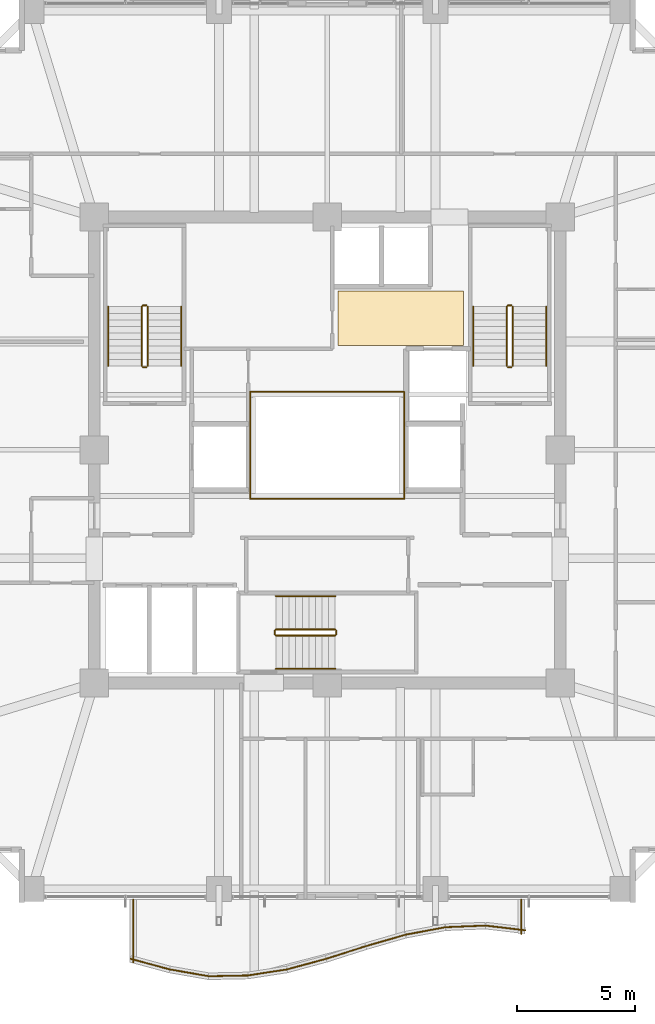
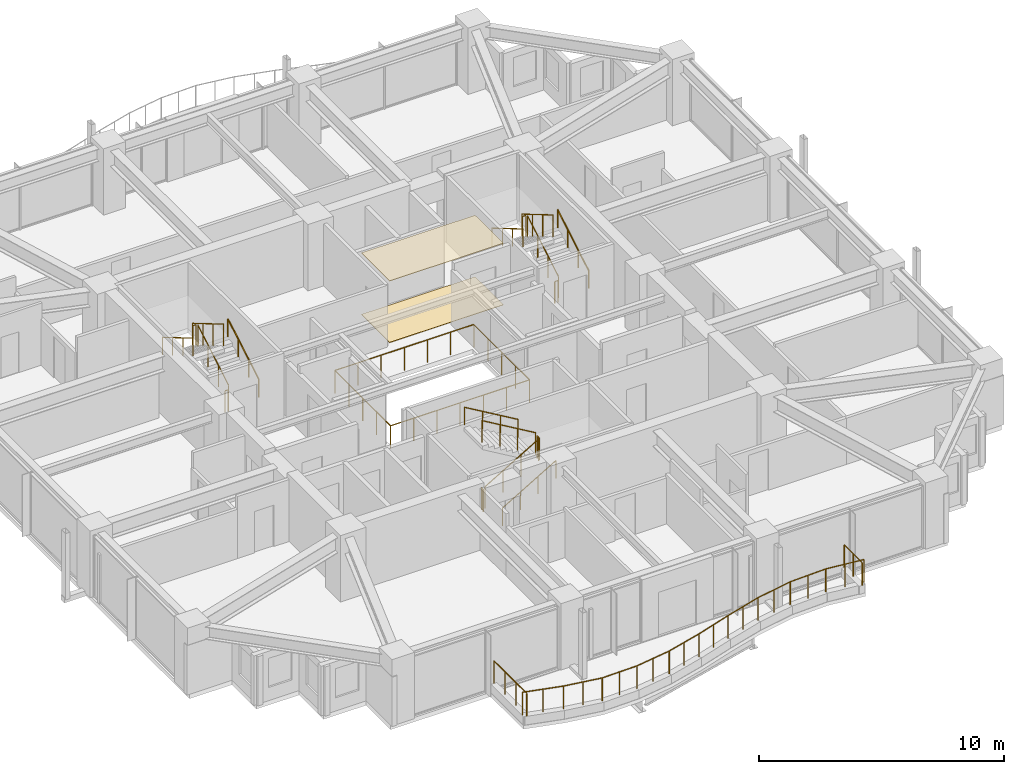
# One storey, part 30 of 31: 34 railings, 2 coverings.
"""IFC4 building model written with IfcOpenShell, lengths in metres."""

import ifcopenshell
import ifcopenshell.guid

model = None  # the IFC model being written
_history = None  # IfcOwnerHistory: only IFC2X3 demands one
_inside = {}  # id of a spatial element -> (the spatial element, [elements in it])
_under = {}  # id of a project, library or spatial element -> (it, [spatial elements below it])
_declared = {}  # id of a project -> (the project, [libraries it declares])
_typed = {}  # id of a type object -> (the type object, [elements of that type])
_made_of = {}  # id of a material, layer set ... -> (it, [elements and type objects made of it])


def new_model(schema):
    """Start an empty IFC model of exactly this schema.

    Asked for "IFC4X3", IfcOpenShell would pick the latest addendum, in which some entities
    have other attributes; the version numbers below select the first issue.
    IFC2X3 requires an IfcOwnerHistory on every rooted entity: one is made here for all.
    """
    global model, _history
    if schema == "IFC4X3":
        model = ifcopenshell.file(schema_version=(4, 3, 0, 0))
    else:
        model = ifcopenshell.file(schema=schema)
    _inside.clear()
    _under.clear()
    _declared.clear()
    _typed.clear()
    _made_of.clear()
    _history = None
    if model.schema == "IFC2X3":
        org = make("IfcOrganization", Name="unknown")
        user = make(
            "IfcPersonAndOrganization",
            ThePerson=make("IfcPerson", FamilyName="unknown"),
            TheOrganization=org,
        )
        app = make(
            "IfcApplication",
            ApplicationDeveloper=org,
            Version="unknown",
            ApplicationFullName="unknown",
            ApplicationIdentifier="unknown",
        )
        _history = make(
            "IfcOwnerHistory",
            OwningUser=user,
            OwningApplication=app,
            ChangeAction="ADDED",
            CreationDate=0,
        )
    return model


def make(cls, **values):
    """One entity of the class cls with the attributes given. An attribute that is None is left unset."""
    return model.create_entity(
        cls, **{name: value for name, value in values.items() if value is not None}
    )


def rooted(cls, **values):
    """An entity with a GlobalId (a new one), such as an element, a storey or a relation."""
    return make(cls, GlobalId=ifcopenshell.guid.new(), OwnerHistory=_history, **values)


def si_unit(unit_type, name, prefix=None):
    """IfcSIUnit, for example si_unit("LENGTHUNIT", "METRE", prefix="MILLI")."""
    return make("IfcSIUnit", UnitType=unit_type, Prefix=prefix, Name=name)


def assignment(units):
    """IfcUnitAssignment: the units of a project."""
    return None if units is None else make("IfcUnitAssignment", Units=units)


def point(xyz):
    """IfcCartesianPoint."""
    return None if xyz is None else make("IfcCartesianPoint", Coordinates=xyz)


def direction(xyz):
    """IfcDirection."""
    return None if xyz is None else make("IfcDirection", DirectionRatios=xyz)


def frame(location, z_axis=None, x_axis=None):
    """IfcAxis2Placement3D, a coordinate frame: its origin and axes. An axis left out is left unset."""
    return make(
        "IfcAxis2Placement3D",
        Location=point(location),
        Axis=direction(z_axis),
        RefDirection=direction(x_axis),
    )


def frame_2d(location, x_axis=None):
    """IfcAxis2Placement2D, a coordinate frame in the plane: its origin and x axis."""
    return make(
        "IfcAxis2Placement2D", Location=point(location), RefDirection=direction(x_axis)
    )


def origin():
    """The frame at (0, 0, 0) with its axes left unset."""
    return frame((0.0, 0.0, 0.0))


def origin_2d():
    """The frame at (0, 0) in the plane with its x axis left unset."""
    return frame_2d((0.0, 0.0))


def place(relative_to, where):
    """IfcLocalPlacement: puts the frame where relative to a parent placement (None: the world)."""
    return make(
        "IfcLocalPlacement", PlacementRelTo=relative_to, RelativePlacement=where
    )


def context(
    kind, dimensions, precision=None, world=None, true_north=None, identifier=None
):
    """IfcGeometricRepresentationContext, for example the 3D "Model" context."""
    return make(
        "IfcGeometricRepresentationContext",
        ContextIdentifier=identifier,
        ContextType=kind,
        CoordinateSpaceDimension=dimensions,
        Precision=precision,
        WorldCoordinateSystem=world,
        TrueNorth=true_north,
    )


def subcontext(parent, identifier, kind, view, scale=None):
    """IfcGeometricRepresentationSubContext, for example "Body" below "Model"."""
    return make(
        "IfcGeometricRepresentationSubContext",
        ContextIdentifier=identifier,
        ContextType=kind,
        ParentContext=parent,
        TargetScale=scale,
        TargetView=view,
    )


def project(units=None, contexts=None):
    """IfcProject with its units and contexts."""
    return rooted(
        "IfcProject",
        Name="project",
        RepresentationContexts=contexts,
        UnitsInContext=assignment(units),
    )


def spatial(cls, under=None, at=None, **own):
    """A site, building, storey or space (cls), placed at a placement, below another one or the project."""
    s = rooted(cls, ObjectPlacement=at, **own)
    if under is not None:
        _under.setdefault(under.id(), (under, []))[1].append(s)
    return s


def polyline(points):
    """IfcPolyline through the points."""
    return make("IfcPolyline", Points=[point(p) for p in points])


def profile(cls, at=None, kind="AREA", **sizes):
    """A parametric profile (cls). Its sizes go by their IFC names, for example OverallWidth=200.0."""
    return make(cls, ProfileType=kind, Position=at, **sizes)


def circle(**sizes):
    """IfcCircleProfileDef."""
    return profile("IfcCircleProfileDef", **sizes)


def outline(outer, holes=None, kind="AREA"):
    """IfcArbitraryClosedProfileDef: a profile drawn as a closed curve; with holes, ...WithVoids."""
    if holes is None:
        return make("IfcArbitraryClosedProfileDef", ProfileType=kind, OuterCurve=outer)
    return make(
        "IfcArbitraryProfileDefWithVoids",
        ProfileType=kind,
        OuterCurve=outer,
        InnerCurves=holes,
    )


def extrude(swept, where, along, depth):
    """IfcExtrudedAreaSolid: the profile swept, set in the frame where, extruded along a direction by depth."""
    return make(
        "IfcExtrudedAreaSolid",
        SweptArea=swept,
        Position=where,
        ExtrudedDirection=direction(along),
        Depth=depth,
    )


def shape(context_of_items, identifier, shape_type, items):
    """IfcShapeRepresentation: the items that make up one representation, for example the "Body"."""
    return make(
        "IfcShapeRepresentation",
        ContextOfItems=context_of_items,
        RepresentationIdentifier=identifier,
        RepresentationType=shape_type,
        Items=items,
    )


def material(Name=None, Category=None):
    """IfcMaterial."""
    return make("IfcMaterial", Name=Name, Category=Category)


def layer(
    of_material, thickness, ventilated=None, Name=None, Category=None, Priority=None
):
    """IfcMaterialLayer: one layer of a wall or slab, of a material (None: an air gap)."""
    return make(
        "IfcMaterialLayer",
        Material=of_material,
        LayerThickness=thickness,
        IsVentilated=ventilated,
        Name=Name,
        Category=Category,
        Priority=Priority,
    )


def layer_set(layers, Name=None):
    """IfcMaterialLayerSet."""
    return make("IfcMaterialLayerSet", MaterialLayers=layers, LayerSetName=Name)


def made_of(thing, what):
    """Note that an element or type object is made of a material, layer set ...; save() writes the relation."""
    if what is not None:
        _made_of.setdefault(what.id(), (what, []))[1].append(thing)
    return thing


def type_object(cls, material=None, **own):
    """A type object (cls), such as IfcWallType, which elements share."""
    return made_of(rooted(cls, **own), material)


def element(
    cls,
    number,
    at=None,
    inside=None,
    cuts=None,
    type_object=None,
    material=None,
    context=None,
    identifier="Body",
    shape_type=None,
    held_by="IfcProductDefinitionShape",
    body=None,
    shapes=None,
    **own,
):
    """One element of the class cls, such as IfcWall. Its Tag is "e" and its number.

    at: its placement. inside: the storey or other place that contains it. cuts: it is an
    opening in that element (IfcRelVoidsElement). A single representation is given by context,
    identifier, shape_type and body (its items); several are given by shapes. held_by: the class
    of the entity that holds the representations. save() writes the other relations.
    """
    e = rooted(cls, Tag="e%d" % number, ObjectPlacement=at, **own)
    if body is not None:
        shapes = [shape(context, identifier, shape_type, body)]
    if shapes is not None:
        e.Representation = make(held_by, Representations=shapes)
    if inside is not None:
        _inside.setdefault(inside.id(), (inside, []))[1].append(e)
    if cuts is not None:
        rooted(
            "IfcRelVoidsElement", RelatingBuildingElement=cuts, RelatedOpeningElement=e
        )
    if type_object is not None:
        _typed.setdefault(type_object.id(), (type_object, []))[1].append(e)
    return made_of(e, material)


def aggregate(whole, parts):
    """IfcRelAggregates: a whole, such as a stair, and the parts it consists of."""
    return rooted("IfcRelAggregates", RelatingObject=whole, RelatedObjects=parts)


def save(model, path):
    """Write the relations noted so far, then the file.

    IfcRelAggregates (storeys below a building ...), IfcRelContainedInSpatialStructure (elements
    in a storey), IfcRelDefinesByType, IfcRelAssociatesMaterial and IfcRelDeclares: one each for
    every whole, place, type object, material and project.
    """
    for whole, parts in _under.values():
        aggregate(whole, parts)
    for where, things in _inside.values():
        rooted(
            "IfcRelContainedInSpatialStructure",
            RelatedElements=things,
            RelatingStructure=where,
        )
    for kind, things in _typed.values():
        rooted("IfcRelDefinesByType", RelatedObjects=things, RelatingType=kind)
    for what, things in _made_of.values():
        rooted("IfcRelAssociatesMaterial", RelatedObjects=things, RelatingMaterial=what)
    for by, libraries in _declared.values():
        rooted("IfcRelDeclares", RelatingContext=by, RelatedDefinitions=libraries)
    model.write(path)


model = new_model("IFC4")

# Units and contexts
model_context = context("Model", 3, precision=1e-05, world=origin(), true_north=direction((0.0, 1.0)))
body_context = subcontext(model_context, "Body", "Model", "MODEL_VIEW")
ifc_project = project(units=[si_unit("LENGTHUNIT", "METRE"), si_unit("AREAUNIT", "SQUARE_METRE"), si_unit("VOLUMEUNIT", "CUBIC_METRE"), si_unit("PLANEANGLEUNIT", "RADIAN"), si_unit("MASSUNIT", "GRAM", prefix="KILO")], contexts=[model_context])

# Site, building, storey
site_placement = place(None, origin())
site = spatial("IfcSite", under=ifc_project, at=site_placement, CompositionType="ELEMENT")
building_placement = place(site_placement, origin())
building = spatial("IfcBuilding", under=site, at=building_placement, Name="Kolvaren Belvedere", CompositionType="ELEMENT")
storey_placement = place(building_placement, frame((0.0, 0.0, 118.39990234375)))
storey = spatial("IfcBuildingStorey", under=building, at=storey_placement, Name="L34", CompositionType="ELEMENT", Elevation=118.39990234375)

# Coverings
ifc_material_1 = material(Name="Acoustic perforated gypsum board", Category="gypsum")
ifc_layer_1 = layer(ifc_material_1, 0.02490234375)
ifc_layer_set_1 = layer_set([ifc_layer_1], Name="Acoustic perforated gypsum board")
covering_type_1 = type_object("IfcCoveringType", Name="COV-CEIL-GYP", PredefinedType="CEILING", material=ifc_layer_set_1)
covering_1_placement = place(storey_placement, frame((0.0, 0.0, 3.05517578125)))
element("IfcCovering", 1, at=covering_1_placement, inside=storey, type_object=covering_type_1, Name="L34 Lift Lobby Acoustic Baffle Ceiling", PredefinedType="CEILING", context=body_context, shape_type="SweptSolid", body=[
    extrude(outline(polyline([(0.449951171875, 4.449951171875), (5.800048828125, 4.449951171875), (5.800048828125, 6.75), (0.449951171875, 6.75), (0.449951171875, 4.449951171875)])), origin(), (0.0, 0.0, 1.0), 0.02490234375),
])
ifc_material_2 = material(Name="Engineered Pacific white oak", Category="timber")
ifc_layer_2 = layer(ifc_material_2, 0.02001953125)
ifc_layer_set_2 = layer_set([ifc_layer_2], Name="Engineered Pacific white oak")
covering_type_2 = type_object("IfcCoveringType", Name="COV-FLR-OAK", PredefinedType="FLOORING", material=ifc_layer_set_2)
covering_2_placement = place(storey_placement, origin())
element("IfcCovering", 2, at=covering_2_placement, inside=storey, type_object=covering_type_2, Name="L34 Lift Lobby Finish Flooring", PredefinedType="FLOORING", context=body_context, shape_type="SweptSolid", body=[
    extrude(outline(polyline([(0.449951171875, 4.449951171875), (5.800048828125, 4.449951171875), (5.800048828125, 6.75), (0.449951171875, 6.75), (0.449951171875, 4.449951171875)])), origin(), (0.0, 0.0, 1.0), 0.02001953125),
])

# Railings
ifc_material_3 = material(Name="Laminated glass & stainless-steel cap rail", Category="steel")
railing_type_1 = type_object("IfcRailingType", Name="RL-ATR-1150", PredefinedType="BALUSTRADE", material=ifc_material_3)
for number, where, name in (
    (3, (-3.27001953125, 2.469970703125, 0.0), "L34 Atrium North Glass Balustrade"),
    (4, (-3.27001953125, -2.070068359375, 0.0), "L34 Atrium South Glass Balustrade"),
):
    element("IfcRailing", number, at=place(storey_placement, frame(where)), inside=storey, type_object=railing_type_1, Name=name, PredefinedType="BALUSTRADE", context=body_context, shape_type="SweptSolid", body=[
        extrude(circle(Radius=0.02392578125, at=origin_2d()), frame((0.0, 0.0, 1.1259765625), z_axis=(1.0, 0.0, 0.0), x_axis=(0.0, 1.0, 0.0)), (0.0, 0.0, 1.0), 6.5400390625),
        extrude(circle(Radius=0.02099609375, at=origin_2d()), origin(), (0.0, 0.0, 1.0), 1.101806640625),
        extrude(circle(Radius=0.02099609375, at=origin_2d()), frame((1.090087890625, 0.0, 0.0)), (0.0, 0.0, 1.0), 1.101806640625),
        extrude(circle(Radius=0.02099609375, at=origin_2d()), frame((2.179931640625, 0.0, 0.0)), (0.0, 0.0, 1.0), 1.101806640625),
        extrude(circle(Radius=0.02099609375, at=origin_2d()), frame((3.27001953125, 0.0, 0.0)), (0.0, 0.0, 1.0), 1.101806640625),
        extrude(circle(Radius=0.02099609375, at=origin_2d()), frame((4.360107421875, 0.0, 0.0)), (0.0, 0.0, 1.0), 1.101806640625),
        extrude(circle(Radius=0.02099609375, at=origin_2d()), frame((5.449951171875, 0.0, 0.0)), (0.0, 0.0, 1.0), 1.101806640625),
        extrude(circle(Radius=0.02099609375, at=origin_2d()), frame((6.5400390625, 0.0, 0.0)), (0.0, 0.0, 1.0), 1.101806640625),
    ])
for number, where, name in (
    (5, (-3.27001953125, -2.070068359375, 0.0), "L34 Atrium West Glass Balustrade"),
    (6, (3.27001953125, -2.070068359375, 0.0), "L34 Atrium East Glass Balustrade"),
):
    element("IfcRailing", number, at=place(storey_placement, frame(where)), inside=storey, type_object=railing_type_1, Name=name, PredefinedType="BALUSTRADE", context=body_context, shape_type="SweptSolid", body=[
        extrude(circle(Radius=0.02392578125, at=origin_2d()), frame((0.0, 0.0, 1.1259765625), z_axis=(0.0, 1.0, 0.0), x_axis=(-1.0, 0.0, 0.0)), (0.0, 0.0, 1.0), 4.5400390625),
        extrude(circle(Radius=0.02099609375, at=origin_2d()), origin(), (0.0, 0.0, 1.0), 1.101806640625),
        extrude(circle(Radius=0.02099609375, at=origin_2d()), frame((0.0, 1.135009765625, 0.0)), (0.0, 0.0, 1.0), 1.101806640625),
        extrude(circle(Radius=0.02099609375, at=origin_2d()), frame((0.0, 2.27001953125, 0.0)), (0.0, 0.0, 1.0), 1.101806640625),
        extrude(circle(Radius=0.02099609375, at=origin_2d()), frame((0.0, 3.405029296875, 0.0)), (0.0, 0.0, 1.0), 1.101806640625),
        extrude(circle(Radius=0.02099609375, at=origin_2d()), frame((0.0, 4.5400390625, 0.0)), (0.0, 0.0, 1.0), 1.101806640625),
    ])
ifc_material_4 = material(Name="Anodised pale-metal aluminium & laminated glass guard", Category="aluminium")
railing_type_2 = type_object("IfcRailingType", Name="RL-GUARD-1150", PredefinedType="GUARDRAIL", material=ifc_material_4)
railing_1_placement = place(storey_placement, frame((-8.3583984375, -21.619140625, 0.380126953125)))
element("IfcRailing", 7, at=railing_1_placement, inside=storey, type_object=railing_type_2, Name="L34 Exterior Deck Safety Guard BAL-S-1", PredefinedType="GUARDRAIL", context=body_context, shape_type="SweptSolid", body=[
    extrude(circle(Radius=0.02392578125, at=origin_2d()), frame((0.0, 0.0, 1.1259765625), z_axis=(0.965434024814, -0.260647546949, 0.0), x_axis=(0.260647546949, 0.965434024814, 0.0)), (0.0, 0.0, 1.0), 1.740234375),
    extrude(circle(Radius=0.02099609375, at=origin_2d()), origin(), (0.0, 0.0, 1.0), 1.101806640625),
    extrude(circle(Radius=0.02099609375, at=origin_2d()), frame((0.840087890625, -0.226806640625, 0.0)), (0.0, 0.0, 1.0), 1.101806640625),
    extrude(circle(Radius=0.02099609375, at=origin_2d()), frame((1.68017578125, -0.45361328125, 0.0)), (0.0, 0.0, 1.0), 1.101806640625),
])
railing_2_placement = place(storey_placement, frame((-6.6923828125, -22.069580078125, 0.380126953125)))
element("IfcRailing", 8, at=railing_2_placement, inside=storey, type_object=railing_type_2, Name="L34 Exterior Deck Safety Guard BAL-S-2", PredefinedType="GUARDRAIL", context=body_context, shape_type="SweptSolid", body=[
    extrude(circle(Radius=0.02392578125, at=origin_2d()), frame((0.0, 0.0, 1.1259765625), z_axis=(0.985156010777, -0.171661394699, 0.0), x_axis=(0.171661394699, 0.985156010777, 0.0)), (0.0, 0.0, 1.0), 1.705322265625),
    extrude(circle(Radius=0.02099609375, at=origin_2d()), origin(), (0.0, 0.0, 1.0), 1.101806640625),
    extrude(circle(Radius=0.02099609375, at=origin_2d()), frame((0.83984375, -0.146484375, 0.0)), (0.0, 0.0, 1.0), 1.101806640625),
    extrude(circle(Radius=0.02099609375, at=origin_2d()), frame((1.679931640625, -0.292724609375, 0.0)), (0.0, 0.0, 1.0), 1.101806640625),
])
railing_3_placement = place(storey_placement, frame((-5.043212890625, -22.360107421875, 0.380126953125)))
element("IfcRailing", 9, at=railing_3_placement, inside=storey, type_object=railing_type_2, Name="L34 Exterior Deck Safety Guard BAL-S-3", PredefinedType="GUARDRAIL", context=body_context, shape_type="SweptSolid", body=[
    extrude(circle(Radius=0.02392578125, at=origin_2d()), frame((0.0, 0.0, 1.1259765625), z_axis=(0.999796031266, 0.020196431964, 0.0), x_axis=(-0.020196431964, 0.999796031266, 0.0)), (0.0, 0.0, 1.0), 1.68017578125),
    extrude(circle(Radius=0.02099609375, at=origin_2d()), origin(), (0.0, 0.0, 1.0), 1.101806640625),
    extrude(circle(Radius=0.02099609375, at=origin_2d()), frame((0.83984375, 0.01708984375, 0.0)), (0.0, 0.0, 1.0), 1.101806640625),
    extrude(circle(Radius=0.02099609375, at=origin_2d()), frame((1.679931640625, 0.033935546875, 0.0)), (0.0, 0.0, 1.0), 1.101806640625),
])
railing_4_placement = place(storey_placement, frame((-3.384521484375, -22.327880859375, 0.380126953125)))
element("IfcRailing", 10, at=railing_4_placement, inside=storey, type_object=railing_type_2, Name="L34 Exterior Deck Safety Guard BAL-S-4", PredefinedType="GUARDRAIL", context=body_context, shape_type="SweptSolid", body=[
    extrude(circle(Radius=0.02392578125, at=origin_2d()), frame((0.0, 0.0, 1.1259765625), z_axis=(0.988345118302, 0.152229849666, 0.0), x_axis=(-0.152229849666, 0.988345118302, 0.0)), (0.0, 0.0, 1.0), 1.699951171875),
    extrude(circle(Radius=0.02099609375, at=origin_2d()), origin(), (0.0, 0.0, 1.0), 1.101806640625),
    extrude(circle(Radius=0.02099609375, at=origin_2d()), frame((0.840087890625, 0.12939453125, 0.0)), (0.0, 0.0, 1.0), 1.101806640625),
    extrude(circle(Radius=0.02099609375, at=origin_2d()), frame((1.68017578125, 0.2587890625, 0.0)), (0.0, 0.0, 1.0), 1.101806640625),
])
railing_5_placement = place(storey_placement, frame((-1.7216796875, -22.07275390625, 0.380126953125)))
element("IfcRailing", 11, at=railing_5_placement, inside=storey, type_object=railing_type_2, Name="L34 Exterior Deck Safety Guard BAL-S-5", PredefinedType="GUARDRAIL", context=body_context, shape_type="SweptSolid", body=[
    extrude(circle(Radius=0.02392578125, at=origin_2d()), frame((0.0, 0.0, 1.1259765625), z_axis=(0.965424492388, 0.260682852326, 0.0), x_axis=(-0.260682852326, 0.965424492388, 0.0)), (0.0, 0.0, 1.0), 1.739990234375),
    extrude(circle(Radius=0.02099609375, at=origin_2d()), origin(), (0.0, 0.0, 1.0), 1.101806640625),
    extrude(circle(Radius=0.02099609375, at=origin_2d()), frame((0.83984375, 0.226806640625, 0.0)), (0.0, 0.0, 1.0), 1.101806640625),
    extrude(circle(Radius=0.02099609375, at=origin_2d()), frame((1.679931640625, 0.45361328125, 0.0)), (0.0, 0.0, 1.0), 1.101806640625),
])
railing_6_placement = place(storey_placement, frame((-0.048583984375, -21.621337890625, 0.380126953125)))
element("IfcRailing", 12, at=railing_6_placement, inside=storey, type_object=railing_type_2, Name="L34 Exterior Deck Safety Guard BAL-S-6", PredefinedType="GUARDRAIL", context=body_context, shape_type="SweptSolid", body=[
    extrude(circle(Radius=0.02392578125, at=origin_2d()), frame((0.0, 0.0, 1.1259765625), z_axis=(0.952661770826, 0.304032153573, 0.0), x_axis=(-0.304032153573, 0.952661770826, 0.0)), (0.0, 0.0, 1.0), 1.763427734375),
    extrude(circle(Radius=0.02099609375, at=origin_2d()), origin(), (0.0, 0.0, 1.0), 1.101806640625),
    extrude(circle(Radius=0.02099609375, at=origin_2d()), frame((0.83984375, 0.26806640625, 0.0)), (0.0, 0.0, 1.0), 1.101806640625),
    extrude(circle(Radius=0.02099609375, at=origin_2d()), frame((1.679931640625, 0.5361328125, 0.0)), (0.0, 0.0, 1.0), 1.101806640625),
])
railing_7_placement = place(storey_placement, frame((1.635498046875, -21.083984375, 0.380126953125)))
element("IfcRailing", 13, at=railing_7_placement, inside=storey, type_object=railing_type_2, Name="L34 Exterior Deck Safety Guard BAL-S-7", PredefinedType="GUARDRAIL", context=body_context, shape_type="SweptSolid", body=[
    extrude(circle(Radius=0.02392578125, at=origin_2d()), frame((0.0, 0.0, 1.1259765625), z_axis=(0.96059663827, 0.277946215201, 0.0), x_axis=(-0.277946215201, 0.96059663827, 0.0)), (0.0, 0.0, 1.0), 1.748779296875),
    extrude(circle(Radius=0.02099609375, at=origin_2d()), origin(), (0.0, 0.0, 1.0), 1.101806640625),
    extrude(circle(Radius=0.02099609375, at=origin_2d()), frame((0.83984375, 0.2431640625, 0.0)), (0.0, 0.0, 1.0), 1.101806640625),
    extrude(circle(Radius=0.02099609375, at=origin_2d()), frame((1.679931640625, 0.486083984375, 0.0)), (0.0, 0.0, 1.0), 1.101806640625),
])
railing_8_placement = place(storey_placement, frame((3.330322265625, -20.594482421875, 0.380126953125)))
element("IfcRailing", 14, at=railing_8_placement, inside=storey, type_object=railing_type_2, Name="L34 Exterior Deck Safety Guard BAL-S-8", PredefinedType="GUARDRAIL", context=body_context, shape_type="SweptSolid", body=[
    extrude(circle(Radius=0.02392578125, at=origin_2d()), frame((0.0, 0.0, 1.1259765625), z_axis=(0.982778293957, 0.184788595231, 0.0), x_axis=(-0.184788595231, 0.982778293957, 0.0)), (0.0, 0.0, 1.0), 1.709716796875),
    extrude(circle(Radius=0.02099609375, at=origin_2d()), origin(), (0.0, 0.0, 1.0), 1.101806640625),
    extrude(circle(Radius=0.02099609375, at=origin_2d()), frame((0.840087890625, 0.157958984375, 0.0)), (0.0, 0.0, 1.0), 1.101806640625),
    extrude(circle(Radius=0.02099609375, at=origin_2d()), frame((1.68017578125, 0.31591796875, 0.0)), (0.0, 0.0, 1.0), 1.101806640625),
])
railing_9_placement = place(storey_placement, frame((5.03369140625, -20.27587890625, 0.380126953125)))
element("IfcRailing", 15, at=railing_9_placement, inside=storey, type_object=railing_type_2, Name="L34 Exterior Deck Safety Guard BAL-S-9", PredefinedType="GUARDRAIL", context=body_context, shape_type="SweptSolid", body=[
    extrude(circle(Radius=0.02392578125, at=origin_2d()), frame((0.0, 0.0, 1.1259765625), z_axis=(0.999196545286, 0.040078222133, 0.0), x_axis=(-0.040078222133, 0.999196545286, 0.0)), (0.0, 0.0, 1.0), 1.681396484375),
    extrude(circle(Radius=0.02099609375, at=origin_2d()), origin(), (0.0, 0.0, 1.0), 1.101806640625),
    extrude(circle(Radius=0.02099609375, at=origin_2d()), frame((0.83984375, 0.03369140625, 0.0)), (0.0, 0.0, 1.0), 1.101806640625),
    extrude(circle(Radius=0.02099609375, at=origin_2d()), frame((1.679931640625, 0.0673828125, 0.0)), (0.0, 0.0, 1.0), 1.101806640625),
])
railing_10_placement = place(storey_placement, frame((6.73876953125, -20.209716796875, 0.380126953125)))
element("IfcRailing", 16, at=railing_10_placement, inside=storey, type_object=railing_type_2, Name="L34 Exterior Deck Safety Guard BAL-S-10", PredefinedType="GUARDRAIL", context=body_context, shape_type="SweptSolid", body=[
    extrude(circle(Radius=0.02392578125, at=origin_2d()), frame((0.0, 0.0, 1.1259765625), z_axis=(0.993142720498, -0.116908240605, 0.0), x_axis=(0.116908240605, 0.993142720498, 0.0)), (0.0, 0.0, 1.0), 1.691650390625),
    extrude(circle(Radius=0.02099609375, at=origin_2d()), origin(), (0.0, 0.0, 1.0), 1.101806640625),
    extrude(circle(Radius=0.02099609375, at=origin_2d()), frame((0.83984375, -0.098876953125, 0.0)), (0.0, 0.0, 1.0), 1.101806640625),
    extrude(circle(Radius=0.02099609375, at=origin_2d()), frame((1.679931640625, -0.19775390625, 0.0)), (0.0, 0.0, 1.0), 1.101806640625),
])
railing_11_placement = place(storey_placement, frame((8.239990234375, -20.56640625, 0.380126953125)))
element("IfcRailing", 17, at=railing_11_placement, inside=storey, type_object=railing_type_2, Name="L34 Exterior Deck Safety Guard BAL-S-11", PredefinedType="GUARDRAIL", context=body_context, shape_type="SweptSolid", body=[
    extrude(circle(Radius=0.02392578125, at=origin_2d()), frame((0.0, 0.0, 1.1259765625), z_axis=(0.0, 1.0, 0.0), x_axis=(-1.0, 0.0, 0.0)), (0.0, 0.0, 1.0), 1.46630859375),
    extrude(circle(Radius=0.02099609375, at=origin_2d()), origin(), (0.0, 0.0, 1.0), 1.101806640625),
    extrude(circle(Radius=0.02099609375, at=origin_2d()), frame((0.0, 0.733154296875, 0.0)), (0.0, 0.0, 1.0), 1.101806640625),
    extrude(circle(Radius=0.02099609375, at=origin_2d()), frame((0.0, 1.46630859375, 0.0)), (0.0, 0.0, 1.0), 1.101806640625),
])
railing_12_placement = place(storey_placement, frame((-8.239990234375, -19.10009765625, 0.380126953125)))
element("IfcRailing", 18, at=railing_12_placement, inside=storey, type_object=railing_type_2, Name="L34 Exterior Deck Safety Guard BAL-S-22", PredefinedType="GUARDRAIL", context=body_context, shape_type="SweptSolid", body=[
    extrude(circle(Radius=0.02392578125, at=origin_2d()), frame((0.0, 0.0, 1.1259765625), z_axis=(0.0, -1.0, 0.0), x_axis=(1.0, 0.0, 0.0)), (0.0, 0.0, 1.0), 2.673583984375),
    extrude(circle(Radius=0.02099609375, at=origin_2d()), origin(), (0.0, 0.0, 1.0), 1.101806640625),
    extrude(circle(Radius=0.02099609375, at=origin_2d()), frame((0.0, -0.89111328125, 0.0)), (0.0, 0.0, 1.0), 1.101806640625),
    extrude(circle(Radius=0.02099609375, at=origin_2d()), frame((0.0, -1.782470703125, 0.0)), (0.0, 0.0, 1.0), 1.101806640625),
    extrude(circle(Radius=0.02099609375, at=origin_2d()), frame((0.0, -2.673583984375, 0.0)), (0.0, 0.0, 1.0), 1.101806640625),
])
ifc_material_5 = material(Name="Brushed stainless-steel handrail", Category="steel")
railing_type_3 = type_object("IfcRailingType", Name="RL-HANDRAIL-920", PredefinedType="HANDRAIL", material=ifc_material_5)
railing_13_placement = place(storey_placement, frame((-6.2099609375, 3.570068359375, 0.1650390625)))
element("IfcRailing", 19, at=railing_13_placement, inside=storey, type_object=railing_type_3, Name="L34 ST-1 stair handrail 1", PredefinedType="HANDRAIL", context=body_context, shape_type="SweptSolid", body=[
    extrude(circle(Radius=0.02392578125, at=origin_2d()), frame((0.0, 0.0, 0.8759765625), z_axis=(0.0, 0.86152411907, 0.507716645641), x_axis=(-1.0, 0.0, 0.0)), (0.0, 0.0, 1.0), 2.925048828125),
    extrude(circle(Radius=0.02099609375, at=origin_2d()), origin(), (0.0, 0.0, 1.0), 0.851806640625),
    extrude(circle(Radius=0.02099609375, at=origin_2d()), frame((0.0, 0.840087890625, 0.4951171875)), (0.0, 0.0, 1.0), 0.851806640625),
    extrude(circle(Radius=0.02099609375, at=origin_2d()), frame((0.0, 1.679931640625, 0.989990234375)), (0.0, 0.0, 1.0), 0.851806640625),
    extrude(circle(Radius=0.02099609375, at=origin_2d()), frame((0.0, 2.52001953125, 1.485107421875)), (0.0, 0.0, 1.0), 0.851806640625),
])
railing_14_placement = place(storey_placement, frame((-9.300048828125, 6.090087890625, 1.815185546875)))
element("IfcRailing", 20, at=railing_14_placement, inside=storey, type_object=railing_type_3, Name="L34 ST-1 stair handrail 2", PredefinedType="HANDRAIL", context=body_context, shape_type="SweptSolid", body=[
    extrude(circle(Radius=0.02392578125, at=origin_2d()), frame((0.0, 0.0, 0.8759765625), z_axis=(0.0, -0.861560626758, 0.507654692109), x_axis=(1.0, 0.0, 0.0)), (0.0, 0.0, 1.0), 2.925048828125),
    extrude(circle(Radius=0.02099609375, at=origin_2d()), origin(), (0.0, 0.0, 1.0), 0.851806640625),
    extrude(circle(Radius=0.02099609375, at=origin_2d()), frame((0.0, -0.840087890625, 0.494873046875)), (0.0, 0.0, 1.0), 0.851806640625),
    extrude(circle(Radius=0.02099609375, at=origin_2d()), frame((0.0, -1.679931640625, 0.989990234375)), (0.0, 0.0, 1.0), 0.851806640625),
    extrude(circle(Radius=0.02099609375, at=origin_2d()), frame((0.0, -2.52001953125, 1.48486328125)), (0.0, 0.0, 1.0), 0.851806640625),
])
railing_15_placement = place(storey_placement, frame((9.300048828125, 3.570068359375, 0.1650390625)))
element("IfcRailing", 21, at=railing_15_placement, inside=storey, type_object=railing_type_3, Name="L34 ST-2 stair handrail 1", PredefinedType="HANDRAIL", context=body_context, shape_type="SweptSolid", body=[
    extrude(circle(Radius=0.02392578125, at=origin_2d()), frame((0.0, 0.0, 0.8759765625), z_axis=(0.0, 0.86152411907, 0.507716645641), x_axis=(-1.0, 0.0, 0.0)), (0.0, 0.0, 1.0), 2.925048828125),
    extrude(circle(Radius=0.02099609375, at=origin_2d()), origin(), (0.0, 0.0, 1.0), 0.851806640625),
    extrude(circle(Radius=0.02099609375, at=origin_2d()), frame((0.0, 0.840087890625, 0.4951171875)), (0.0, 0.0, 1.0), 0.851806640625),
    extrude(circle(Radius=0.02099609375, at=origin_2d()), frame((0.0, 1.679931640625, 0.989990234375)), (0.0, 0.0, 1.0), 0.851806640625),
    extrude(circle(Radius=0.02099609375, at=origin_2d()), frame((0.0, 2.52001953125, 1.485107421875)), (0.0, 0.0, 1.0), 0.851806640625),
])
railing_16_placement = place(storey_placement, frame((6.2099609375, 6.090087890625, 1.815185546875)))
element("IfcRailing", 22, at=railing_16_placement, inside=storey, type_object=railing_type_3, Name="L34 ST-2 stair handrail 2", PredefinedType="HANDRAIL", context=body_context, shape_type="SweptSolid", body=[
    extrude(circle(Radius=0.02392578125, at=origin_2d()), frame((0.0, 0.0, 0.8759765625), z_axis=(0.0, -0.861560626758, 0.507654692109), x_axis=(1.0, 0.0, 0.0)), (0.0, 0.0, 1.0), 2.925048828125),
    extrude(circle(Radius=0.02099609375, at=origin_2d()), origin(), (0.0, 0.0, 1.0), 0.851806640625),
    extrude(circle(Radius=0.02099609375, at=origin_2d()), frame((0.0, -0.840087890625, 0.494873046875)), (0.0, 0.0, 1.0), 0.851806640625),
    extrude(circle(Radius=0.02099609375, at=origin_2d()), frame((0.0, -1.679931640625, 0.989990234375)), (0.0, 0.0, 1.0), 0.851806640625),
    extrude(circle(Radius=0.02099609375, at=origin_2d()), frame((0.0, -2.52001953125, 1.48486328125)), (0.0, 0.0, 1.0), 0.851806640625),
])
railing_17_placement = place(storey_placement, frame((-2.179931640625, -9.300048828125, 0.1650390625)))
element("IfcRailing", 23, at=railing_17_placement, inside=storey, type_object=railing_type_3, Name="L34 ST-3 stair handrail 1", PredefinedType="HANDRAIL", context=body_context, shape_type="SweptSolid", body=[
    extrude(circle(Radius=0.02392578125, at=origin_2d()), frame((0.0, 0.0, 0.8759765625), z_axis=(0.86152411907, 0.0, 0.507716645641), x_axis=(0.0, 1.0, 0.0)), (0.0, 0.0, 1.0), 2.925048828125),
    extrude(circle(Radius=0.02099609375, at=origin_2d()), origin(), (0.0, 0.0, 1.0), 0.851806640625),
    extrude(circle(Radius=0.02099609375, at=origin_2d()), frame((0.840087890625, 0.0, 0.4951171875)), (0.0, 0.0, 1.0), 0.851806640625),
    extrude(circle(Radius=0.02099609375, at=origin_2d()), frame((1.679931640625, 0.0, 0.989990234375)), (0.0, 0.0, 1.0), 0.851806640625),
    extrude(circle(Radius=0.02099609375, at=origin_2d()), frame((2.52001953125, 0.0, 1.485107421875)), (0.0, 0.0, 1.0), 0.851806640625),
])
railing_18_placement = place(storey_placement, frame((0.340087890625, -6.2099609375, 1.815185546875)))
element("IfcRailing", 24, at=railing_18_placement, inside=storey, type_object=railing_type_3, Name="L34 ST-3 stair handrail 2", PredefinedType="HANDRAIL", context=body_context, shape_type="SweptSolid", body=[
    extrude(circle(Radius=0.02392578125, at=origin_2d()), frame((0.0, 0.0, 0.8759765625), z_axis=(-0.861560626758, 0.0, 0.507654692109), x_axis=(0.0, -1.0, 0.0)), (0.0, 0.0, 1.0), 2.925048828125),
    extrude(circle(Radius=0.02099609375, at=origin_2d()), origin(), (0.0, 0.0, 1.0), 0.851806640625),
    extrude(circle(Radius=0.02099609375, at=origin_2d()), frame((-0.840087890625, 0.0, 0.494873046875)), (0.0, 0.0, 1.0), 0.851806640625),
    extrude(circle(Radius=0.02099609375, at=origin_2d()), frame((-1.679931640625, 0.0, 0.989990234375)), (0.0, 0.0, 1.0), 0.851806640625),
    extrude(circle(Radius=0.02099609375, at=origin_2d()), frame((-2.52001953125, 0.0, 1.48486328125)), (0.0, 0.0, 1.0), 0.851806640625),
])
ifc_material_6 = material(Name="Painted tubular steel stair guard", Category="steel")
railing_type_4 = type_object("IfcRailingType", Name="RL-STGUARD-1100", PredefinedType="GUARDRAIL", material=ifc_material_6)
railing_19_placement = place(storey_placement, frame((-7.6298828125, 3.570068359375, 0.1650390625)))
element("IfcRailing", 25, at=railing_19_placement, inside=storey, type_object=railing_type_4, Name="L34 ST-1 stair guard 1", PredefinedType="GUARDRAIL", context=body_context, shape_type="SweptSolid", body=[
    extrude(circle(Radius=0.02392578125, at=origin_2d()), frame((0.0, 0.0, 1.076171875), z_axis=(0.0, 0.86152411907, 0.507716645641), x_axis=(-1.0, 0.0, 0.0)), (0.0, 0.0, 1.0), 2.925048828125),
    extrude(circle(Radius=0.02099609375, at=origin_2d()), origin(), (0.0, 0.0, 1.0), 1.052001953125),
    extrude(circle(Radius=0.02099609375, at=origin_2d()), frame((0.0, 0.840087890625, 0.4951171875)), (0.0, 0.0, 1.0), 1.052001953125),
    extrude(circle(Radius=0.02099609375, at=origin_2d()), frame((0.0, 1.679931640625, 0.989990234375)), (0.0, 0.0, 1.0), 1.052001953125),
    extrude(circle(Radius=0.02099609375, at=origin_2d()), frame((0.0, 2.52001953125, 1.485107421875)), (0.0, 0.0, 1.0), 1.052001953125),
])
railing_20_placement = place(storey_placement, frame((-7.679931640625, 6.139892578125, 1.650146484375)))
element("IfcRailing", 26, at=railing_20_placement, inside=storey, type_object=railing_type_4, Name="L34 ST-1 stair guard 2", PredefinedType="GUARDRAIL", context=body_context, shape_type="SweptSolid", body=[
    extrude(circle(Radius=0.02392578125, at=origin_2d()), frame((0.0, 0.0, 1.076171875), z_axis=(-1.0, 0.0, 0.0), x_axis=(0.0, -1.0, 0.0)), (0.0, 0.0, 1.0), 0.150146484375),
    extrude(circle(Radius=0.02099609375, at=origin_2d()), origin(), (0.0, 0.0, 1.0), 1.052001953125),
    extrude(circle(Radius=0.02099609375, at=origin_2d()), frame((-0.150146484375, 0.0, 0.0)), (0.0, 0.0, 1.0), 1.052001953125),
])
railing_21_placement = place(storey_placement, frame((-7.8798828125, 6.090087890625, 1.815185546875)))
element("IfcRailing", 27, at=railing_21_placement, inside=storey, type_object=railing_type_4, Name="L34 ST-1 stair guard 3", PredefinedType="GUARDRAIL", context=body_context, shape_type="SweptSolid", body=[
    extrude(circle(Radius=0.02392578125, at=origin_2d()), frame((0.0, 0.0, 1.076171875), z_axis=(0.0, -0.861560626758, 0.507654692109), x_axis=(1.0, 0.0, 0.0)), (0.0, 0.0, 1.0), 2.925048828125),
    extrude(circle(Radius=0.02099609375, at=origin_2d()), origin(), (0.0, 0.0, 1.0), 1.052001953125),
    extrude(circle(Radius=0.02099609375, at=origin_2d()), frame((0.0, -0.840087890625, 0.494873046875)), (0.0, 0.0, 1.0), 1.052001953125),
    extrude(circle(Radius=0.02099609375, at=origin_2d()), frame((0.0, -1.679931640625, 0.989990234375)), (0.0, 0.0, 1.0), 1.052001953125),
    extrude(circle(Radius=0.02099609375, at=origin_2d()), frame((0.0, -2.52001953125, 1.48486328125)), (0.0, 0.0, 1.0), 1.052001953125),
])
railing_22_placement = place(storey_placement, frame((-7.679931640625, 3.52001953125, 0.0)))
element("IfcRailing", 28, at=railing_22_placement, inside=storey, type_object=railing_type_4, Name="L34 ST-1 stair guard 4", PredefinedType="GUARDRAIL", context=body_context, shape_type="SweptSolid", body=[
    extrude(circle(Radius=0.02392578125, at=origin_2d()), frame((0.0, 0.0, 1.076171875), z_axis=(-1.0, 0.0, 0.0), x_axis=(0.0, -1.0, 0.0)), (0.0, 0.0, 1.0), 0.150146484375),
    extrude(circle(Radius=0.02099609375, at=origin_2d()), origin(), (0.0, 0.0, 1.0), 1.052001953125),
    extrude(circle(Radius=0.02099609375, at=origin_2d()), frame((-0.150146484375, 0.0, 0.0)), (0.0, 0.0, 1.0), 1.052001953125),
])
railing_23_placement = place(storey_placement, frame((7.8798828125, 3.570068359375, 0.1650390625)))
element("IfcRailing", 29, at=railing_23_placement, inside=storey, type_object=railing_type_4, Name="L34 ST-2 stair guard 1", PredefinedType="GUARDRAIL", context=body_context, shape_type="SweptSolid", body=[
    extrude(circle(Radius=0.02392578125, at=origin_2d()), frame((0.0, 0.0, 1.076171875), z_axis=(0.0, 0.86152411907, 0.507716645641), x_axis=(-1.0, 0.0, 0.0)), (0.0, 0.0, 1.0), 2.925048828125),
    extrude(circle(Radius=0.02099609375, at=origin_2d()), origin(), (0.0, 0.0, 1.0), 1.052001953125),
    extrude(circle(Radius=0.02099609375, at=origin_2d()), frame((0.0, 0.840087890625, 0.4951171875)), (0.0, 0.0, 1.0), 1.052001953125),
    extrude(circle(Radius=0.02099609375, at=origin_2d()), frame((0.0, 1.679931640625, 0.989990234375)), (0.0, 0.0, 1.0), 1.052001953125),
    extrude(circle(Radius=0.02099609375, at=origin_2d()), frame((0.0, 2.52001953125, 1.485107421875)), (0.0, 0.0, 1.0), 1.052001953125),
])
railing_24_placement = place(storey_placement, frame((7.830078125, 6.139892578125, 1.650146484375)))
element("IfcRailing", 30, at=railing_24_placement, inside=storey, type_object=railing_type_4, Name="L34 ST-2 stair guard 2", PredefinedType="GUARDRAIL", context=body_context, shape_type="SweptSolid", body=[
    extrude(circle(Radius=0.02392578125, at=origin_2d()), frame((0.0, 0.0, 1.076171875), z_axis=(-1.0, 0.0, 0.0), x_axis=(0.0, -1.0, 0.0)), (0.0, 0.0, 1.0), 0.150146484375),
    extrude(circle(Radius=0.02099609375, at=origin_2d()), origin(), (0.0, 0.0, 1.0), 1.052001953125),
    extrude(circle(Radius=0.02099609375, at=origin_2d()), frame((-0.150146484375, 0.0, 0.0)), (0.0, 0.0, 1.0), 1.052001953125),
])
railing_25_placement = place(storey_placement, frame((7.6298828125, 6.090087890625, 1.815185546875)))
element("IfcRailing", 31, at=railing_25_placement, inside=storey, type_object=railing_type_4, Name="L34 ST-2 stair guard 3", PredefinedType="GUARDRAIL", context=body_context, shape_type="SweptSolid", body=[
    extrude(circle(Radius=0.02392578125, at=origin_2d()), frame((0.0, 0.0, 1.076171875), z_axis=(0.0, -0.861560626758, 0.507654692109), x_axis=(1.0, 0.0, 0.0)), (0.0, 0.0, 1.0), 2.925048828125),
    extrude(circle(Radius=0.02099609375, at=origin_2d()), origin(), (0.0, 0.0, 1.0), 1.052001953125),
    extrude(circle(Radius=0.02099609375, at=origin_2d()), frame((0.0, -0.840087890625, 0.494873046875)), (0.0, 0.0, 1.0), 1.052001953125),
    extrude(circle(Radius=0.02099609375, at=origin_2d()), frame((0.0, -1.679931640625, 0.989990234375)), (0.0, 0.0, 1.0), 1.052001953125),
    extrude(circle(Radius=0.02099609375, at=origin_2d()), frame((0.0, -2.52001953125, 1.48486328125)), (0.0, 0.0, 1.0), 1.052001953125),
])
railing_26_placement = place(storey_placement, frame((7.830078125, 3.52001953125, 0.0)))
element("IfcRailing", 32, at=railing_26_placement, inside=storey, type_object=railing_type_4, Name="L34 ST-2 stair guard 4", PredefinedType="GUARDRAIL", context=body_context, shape_type="SweptSolid", body=[
    extrude(circle(Radius=0.02392578125, at=origin_2d()), frame((0.0, 0.0, 1.076171875), z_axis=(-1.0, 0.0, 0.0), x_axis=(0.0, -1.0, 0.0)), (0.0, 0.0, 1.0), 0.150146484375),
    extrude(circle(Radius=0.02099609375, at=origin_2d()), origin(), (0.0, 0.0, 1.0), 1.052001953125),
    extrude(circle(Radius=0.02099609375, at=origin_2d()), frame((-0.150146484375, 0.0, 0.0)), (0.0, 0.0, 1.0), 1.052001953125),
])
railing_27_placement = place(storey_placement, frame((-2.179931640625, -7.8798828125, 0.1650390625)))
element("IfcRailing", 33, at=railing_27_placement, inside=storey, type_object=railing_type_4, Name="L34 ST-3 stair guard 1", PredefinedType="GUARDRAIL", context=body_context, shape_type="SweptSolid", body=[
    extrude(circle(Radius=0.02392578125, at=origin_2d()), frame((0.0, 0.0, 1.076171875), z_axis=(0.86152411907, 0.0, 0.507716645641), x_axis=(0.0, 1.0, 0.0)), (0.0, 0.0, 1.0), 2.925048828125),
    extrude(circle(Radius=0.02099609375, at=origin_2d()), origin(), (0.0, 0.0, 1.0), 1.052001953125),
    extrude(circle(Radius=0.02099609375, at=origin_2d()), frame((0.840087890625, 0.0, 0.4951171875)), (0.0, 0.0, 1.0), 1.052001953125),
    extrude(circle(Radius=0.02099609375, at=origin_2d()), frame((1.679931640625, 0.0, 0.989990234375)), (0.0, 0.0, 1.0), 1.052001953125),
    extrude(circle(Radius=0.02099609375, at=origin_2d()), frame((2.52001953125, 0.0, 1.485107421875)), (0.0, 0.0, 1.0), 1.052001953125),
])
railing_28_placement = place(storey_placement, frame((0.389892578125, -7.830078125, 1.650146484375)))
element("IfcRailing", 34, at=railing_28_placement, inside=storey, type_object=railing_type_4, Name="L34 ST-3 stair guard 2", PredefinedType="GUARDRAIL", context=body_context, shape_type="SweptSolid", body=[
    extrude(circle(Radius=0.02392578125, at=origin_2d()), frame((0.0, 0.0, 1.076171875), z_axis=(0.0, 1.0, 0.0), x_axis=(-1.0, 0.0, 0.0)), (0.0, 0.0, 1.0), 0.150146484375),
    extrude(circle(Radius=0.02099609375, at=origin_2d()), origin(), (0.0, 0.0, 1.0), 1.052001953125),
    extrude(circle(Radius=0.02099609375, at=origin_2d()), frame((0.0, 0.150146484375, 0.0)), (0.0, 0.0, 1.0), 1.052001953125),
])
railing_29_placement = place(storey_placement, frame((0.340087890625, -7.6298828125, 1.815185546875)))
element("IfcRailing", 35, at=railing_29_placement, inside=storey, type_object=railing_type_4, Name="L34 ST-3 stair guard 3", PredefinedType="GUARDRAIL", context=body_context, shape_type="SweptSolid", body=[
    extrude(circle(Radius=0.02392578125, at=origin_2d()), frame((0.0, 0.0, 1.076171875), z_axis=(-0.861560626758, 0.0, 0.507654692109), x_axis=(0.0, -1.0, 0.0)), (0.0, 0.0, 1.0), 2.925048828125),
    extrude(circle(Radius=0.02099609375, at=origin_2d()), origin(), (0.0, 0.0, 1.0), 1.052001953125),
    extrude(circle(Radius=0.02099609375, at=origin_2d()), frame((-0.840087890625, 0.0, 0.494873046875)), (0.0, 0.0, 1.0), 1.052001953125),
    extrude(circle(Radius=0.02099609375, at=origin_2d()), frame((-1.679931640625, 0.0, 0.989990234375)), (0.0, 0.0, 1.0), 1.052001953125),
    extrude(circle(Radius=0.02099609375, at=origin_2d()), frame((-2.52001953125, 0.0, 1.48486328125)), (0.0, 0.0, 1.0), 1.052001953125),
])
railing_30_placement = place(storey_placement, frame((-2.22998046875, -7.830078125, 0.0)))
element("IfcRailing", 36, at=railing_30_placement, inside=storey, type_object=railing_type_4, Name="L34 ST-3 stair guard 4", PredefinedType="GUARDRAIL", context=body_context, shape_type="SweptSolid", body=[
    extrude(circle(Radius=0.02392578125, at=origin_2d()), frame((0.0, 0.0, 1.076171875), z_axis=(0.0, 1.0, 0.0), x_axis=(-1.0, 0.0, 0.0)), (0.0, 0.0, 1.0), 0.150146484375),
    extrude(circle(Radius=0.02099609375, at=origin_2d()), origin(), (0.0, 0.0, 1.0), 1.052001953125),
    extrude(circle(Radius=0.02099609375, at=origin_2d()), frame((0.0, 0.150146484375, 0.0)), (0.0, 0.0, 1.0), 1.052001953125),
])

save(model, "model.ifc")
